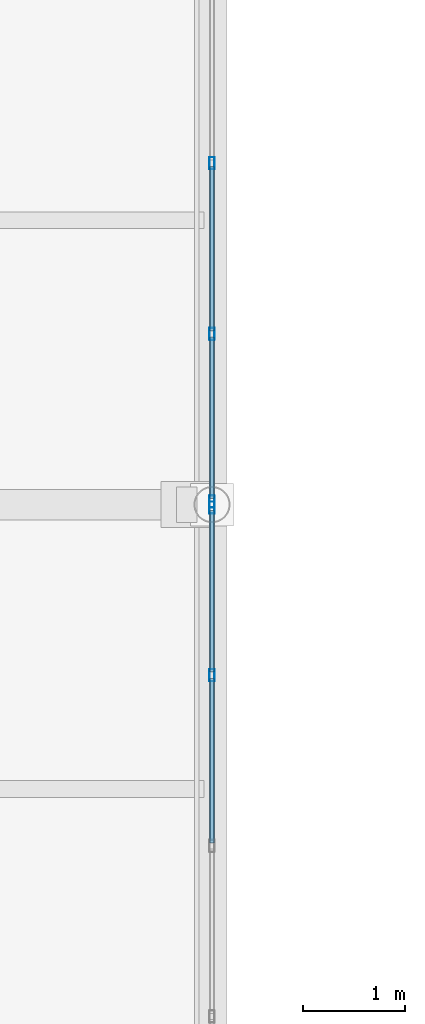
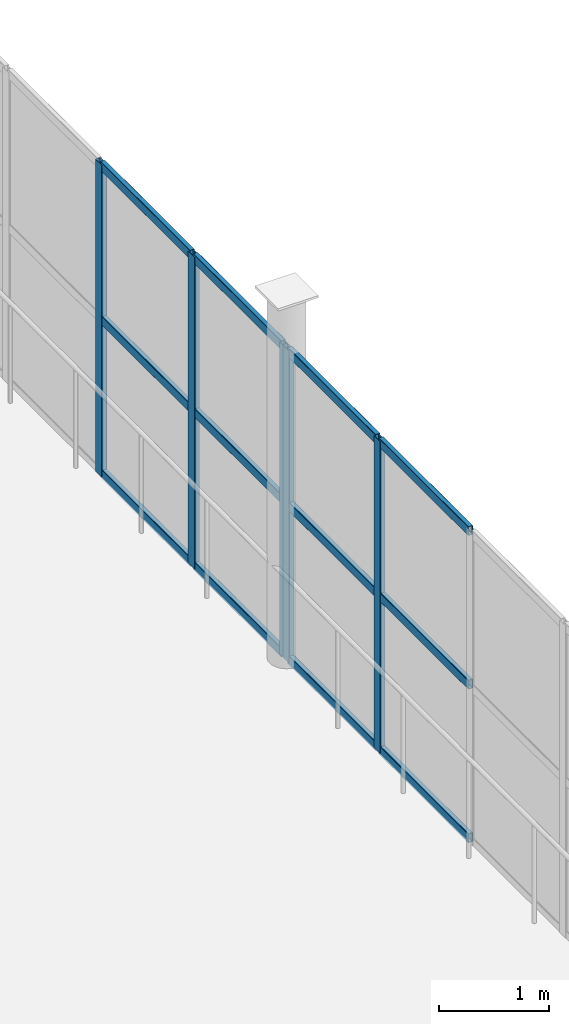
# One storey, part 62 of 184: 17 members, 2 elements without a shape of their own.
"""IFC4 building model written with IfcOpenShell, lengths in metres."""

from ifc_helpers import new_model, si_unit, direction, frame, origin, origin_2d, place, context, subcontext, project, spatial, hollow_rectangle, extrude, material, layer, layer_set, material_profile, profile_set, type_object, element, aggregate, save


model = new_model("IFC4")

# Units and contexts
model_context = context("Model", 3, precision=1e-05, world=origin(), true_north=direction((0.0, 1.0)))
body_context = subcontext(model_context, "Body", "Model", "MODEL_VIEW")
ifc_project = project(units=[si_unit("LENGTHUNIT", "METRE"), si_unit("AREAUNIT", "SQUARE_METRE"), si_unit("VOLUMEUNIT", "CUBIC_METRE"), si_unit("PLANEANGLEUNIT", "RADIAN"), si_unit("MASSUNIT", "GRAM", prefix="KILO")], contexts=[model_context])

# Site, building, storey
site_placement = place(None, origin())
site = spatial("IfcSite", under=ifc_project, at=site_placement, CompositionType="ELEMENT")
building_placement = place(site_placement, origin())
building = spatial("IfcBuilding", under=site, at=building_placement, Name="Qalvenar Corner Mobility Hub", CompositionType="ELEMENT")
storey_placement = place(building_placement, frame((0.0, 0.0, 9.0)))
storey = spatial("IfcBuildingStorey", under=building, at=storey_placement, Name="L02", CompositionType="ELEMENT", Elevation=9.0)

# Curtain wall, members
ifc_material_1 = material(Name="Anodised Aluminium and Low-E Glazing", Category="aluminium")
ifc_layer = layer(ifc_material_1, 0.1201171875)
ifc_layer_set = layer_set([ifc_layer], Name="Anodised Aluminium and Low-E Glazing")
curtain_wall_type = type_object("IfcCurtainWallType", Name="CW-BRG-84X28", PredefinedType="NOTDEFINED", material=ifc_layer_set)
curtain_wall_1_placement = place(storey_placement, origin())
curtain_wall_1 = element("IfcCurtainWall", 1, at=curtain_wall_1_placement, inside=storey, type_object=curtain_wall_type, Name="Glazed Curtain Wall CW-BRG-L02-E1", PredefinedType="NOTDEFINED")
ifc_material_2 = material(Name="Anodised Aluminium 6063-T6", Category="aluminium")
ifc_material_profile_1 = material_profile(ifc_material_2, hollow_rectangle(XDim=0.054931640625, YDim=0.1201171875, WallThickness=0.00341796875, InnerFilletRadius=0.00341796875, OuterFilletRadius=0.007080078125, at=origin_2d()), Name="RHS120x55x3.5")
ifc_profile_set_1 = profile_set([ifc_material_profile_1], Name="Anodised Aluminium 6063-T6")
member_type_1 = type_object("IfcMemberType", Name="CW-MUL120", PredefinedType="MULLION", material=ifc_profile_set_1)
member_1_placement = place(storey_placement, frame((58.800048828125, 48.719970703125, 0.0), z_axis=(0.0, 0.0, 1.0), x_axis=(-1.0, 0.0, 0.0)))
member_1 = element("IfcMember", 2, at=member_1_placement, type_object=member_type_1, Name="CW-11 mullion 5", PredefinedType="MULLION", context=body_context, shape_type="SweptSolid", body=[
    extrude(hollow_rectangle(XDim=0.054931640625, YDim=0.1201171875, WallThickness=0.00341796875, InnerFilletRadius=0.00341796875, OuterFilletRadius=0.007080078125, at=origin_2d()), origin(), (0.0, 0.0, 1.0), 3.449951171875),
])
member_2_placement = place(storey_placement, frame((58.800048828125, 50.3701171875, 0.0), z_axis=(0.0, 0.0, 1.0), x_axis=(-1.0, 0.0, 0.0)))
member_2 = element("IfcMember", 3, at=member_2_placement, type_object=member_type_1, Name="CW-11 mullion 6", PredefinedType="MULLION", context=body_context, shape_type="SweptSolid", body=[
    extrude(hollow_rectangle(XDim=0.054931640625, YDim=0.1201171875, WallThickness=0.00341796875, InnerFilletRadius=0.00341796875, OuterFilletRadius=0.007080078125, at=origin_2d()), origin(), (0.0, 0.0, 1.0), 3.449951171875),
])

curtain_wall_2_placement = place(storey_placement, origin())
curtain_wall_2 = element("IfcCurtainWall", 4, at=curtain_wall_2_placement, inside=storey, type_object=curtain_wall_type, Name="Glazed Curtain Wall CW-BRG-L02-E2", PredefinedType="NOTDEFINED")
member_3_placement = place(storey_placement, frame((58.800048828125, 50.429931640625, 0.0), z_axis=(0.0, 0.0, 1.0), x_axis=(-1.0, 0.0, 0.0)))
member_3 = element("IfcMember", 5, at=member_3_placement, type_object=member_type_1, Name="CW-11 mullion 1", PredefinedType="MULLION", context=body_context, shape_type="SweptSolid", body=[
    extrude(hollow_rectangle(XDim=0.054931640625, YDim=0.1201171875, WallThickness=0.00341796875, InnerFilletRadius=0.00341796875, OuterFilletRadius=0.007080078125, at=origin_2d()), origin(), (0.0, 0.0, 1.0), 3.449951171875),
])
member_4_placement = place(storey_placement, frame((58.800048828125, 52.080078125, 0.0), z_axis=(0.0, 0.0, 1.0), x_axis=(-1.0, 0.0, 0.0)))
member_4 = element("IfcMember", 6, at=member_4_placement, type_object=member_type_1, Name="CW-11 mullion 2", PredefinedType="MULLION", context=body_context, shape_type="SweptSolid", body=[
    extrude(hollow_rectangle(XDim=0.054931640625, YDim=0.1201171875, WallThickness=0.00341796875, InnerFilletRadius=0.00341796875, OuterFilletRadius=0.007080078125, at=origin_2d()), origin(), (0.0, 0.0, 1.0), 3.449951171875),
])
member_5_placement = place(storey_placement, frame((58.800048828125, 53.760009765625, 0.0), z_axis=(0.0, 0.0, 1.0), x_axis=(-1.0, 0.0, 0.0)))
member_5 = element("IfcMember", 7, at=member_5_placement, type_object=member_type_1, Name="CW-11 mullion 3", PredefinedType="MULLION", context=body_context, shape_type="SweptSolid", body=[
    extrude(hollow_rectangle(XDim=0.054931640625, YDim=0.1201171875, WallThickness=0.00341796875, InnerFilletRadius=0.00341796875, OuterFilletRadius=0.007080078125, at=origin_2d()), origin(), (0.0, 0.0, 1.0), 3.449951171875),
])

# Member
ifc_material_profile_2 = material_profile(ifc_material_2, hollow_rectangle(XDim=0.050048828125, YDim=0.10009765625, WallThickness=0.0029296875, InnerFilletRadius=0.0029296875, OuterFilletRadius=0.006103515625, at=origin_2d()), Name="RHS100x50x3")
ifc_profile_set_2 = profile_set([ifc_material_profile_2], Name="Anodised Aluminium 6063-T6")
member_type_2 = type_object("IfcMemberType", Name="CW-TRN100", PredefinedType="USERDEFINED", material=ifc_profile_set_2)
member_6_placement = place(storey_placement, frame((58.800048828125, 47.070068359375, 0.027587890625), z_axis=(0.0, 1.0, 0.0), x_axis=(-1.0, 0.0, 0.0)))
member_6 = element("IfcMember", 8, at=member_6_placement, type_object=member_type_2, Name="CW-11 transom 4.1", ObjectType="TRANSOM", PredefinedType="USERDEFINED", context=body_context, shape_type="SweptSolid", body=[
    extrude(hollow_rectangle(XDim=0.050048828125, YDim=0.10009765625, WallThickness=0.0029296875, InnerFilletRadius=0.0029296875, OuterFilletRadius=0.006103515625, at=origin_2d()), origin(), (0.0, 0.0, 1.0), 1.619873046875),
])

member_7_placement = place(storey_placement, frame((58.800048828125, 47.070068359375, 1.72509765625), z_axis=(0.0, 1.0, 0.0), x_axis=(-1.0, 0.0, 0.0)))
member_7 = element("IfcMember", 9, at=member_7_placement, type_object=member_type_2, Name="CW-11 transom 4.2", ObjectType="TRANSOM", PredefinedType="USERDEFINED", context=body_context, shape_type="SweptSolid", body=[
    extrude(hollow_rectangle(XDim=0.050048828125, YDim=0.10009765625, WallThickness=0.0029296875, InnerFilletRadius=0.0029296875, OuterFilletRadius=0.006103515625, at=origin_2d()), origin(), (0.0, 0.0, 1.0), 1.619873046875),
])

member_8_placement = place(storey_placement, frame((58.800048828125, 47.070068359375, 3.422607421875), z_axis=(0.0, 1.0, 0.0), x_axis=(-1.0, 0.0, 0.0)))
member_8 = element("IfcMember", 10, at=member_8_placement, type_object=member_type_2, Name="CW-11 transom 4.3", ObjectType="TRANSOM", PredefinedType="USERDEFINED", context=body_context, shape_type="SweptSolid", body=[
    extrude(hollow_rectangle(XDim=0.050048828125, YDim=0.10009765625, WallThickness=0.0029296875, InnerFilletRadius=0.0029296875, OuterFilletRadius=0.006103515625, at=origin_2d()), origin(), (0.0, 0.0, 1.0), 1.619873046875),
])

member_9_placement = place(storey_placement, frame((58.800048828125, 48.75, 0.027587890625), z_axis=(0.0, 1.0, 0.0), x_axis=(-1.0, 0.0, 0.0)))
member_9 = element("IfcMember", 11, at=member_9_placement, type_object=member_type_2, Name="CW-11 transom 5.1", ObjectType="TRANSOM", PredefinedType="USERDEFINED", context=body_context, shape_type="SweptSolid", body=[
    extrude(hollow_rectangle(XDim=0.050048828125, YDim=0.10009765625, WallThickness=0.0029296875, InnerFilletRadius=0.0029296875, OuterFilletRadius=0.006103515625, at=origin_2d()), origin(), (0.0, 0.0, 1.0), 1.590087890625),
])

member_10_placement = place(storey_placement, frame((58.800048828125, 48.75, 1.72509765625), z_axis=(0.0, 1.0, 0.0), x_axis=(-1.0, 0.0, 0.0)))
member_10 = element("IfcMember", 12, at=member_10_placement, type_object=member_type_2, Name="CW-11 transom 5.2", ObjectType="TRANSOM", PredefinedType="USERDEFINED", context=body_context, shape_type="SweptSolid", body=[
    extrude(hollow_rectangle(XDim=0.050048828125, YDim=0.10009765625, WallThickness=0.0029296875, InnerFilletRadius=0.0029296875, OuterFilletRadius=0.006103515625, at=origin_2d()), origin(), (0.0, 0.0, 1.0), 1.590087890625),
])

member_11_placement = place(storey_placement, frame((58.800048828125, 48.75, 3.422607421875), z_axis=(0.0, 1.0, 0.0), x_axis=(-1.0, 0.0, 0.0)))
member_11 = element("IfcMember", 13, at=member_11_placement, type_object=member_type_2, Name="CW-11 transom 5.3", ObjectType="TRANSOM", PredefinedType="USERDEFINED", context=body_context, shape_type="SweptSolid", body=[
    extrude(hollow_rectangle(XDim=0.050048828125, YDim=0.10009765625, WallThickness=0.0029296875, InnerFilletRadius=0.0029296875, OuterFilletRadius=0.006103515625, at=origin_2d()), origin(), (0.0, 0.0, 1.0), 1.590087890625),
])

aggregate(curtain_wall_1, [member_1, member_2, member_6, member_7, member_8, member_9, member_10, member_11])

member_12_placement = place(storey_placement, frame((58.800048828125, 50.4599609375, 0.027587890625), z_axis=(0.0, 1.0, 0.0), x_axis=(-1.0, 0.0, 0.0)))
member_12 = element("IfcMember", 14, at=member_12_placement, type_object=member_type_2, Name="CW-11 transom 1.1", ObjectType="TRANSOM", PredefinedType="USERDEFINED", context=body_context, shape_type="SweptSolid", body=[
    extrude(hollow_rectangle(XDim=0.050048828125, YDim=0.10009765625, WallThickness=0.0029296875, InnerFilletRadius=0.0029296875, OuterFilletRadius=0.006103515625, at=origin_2d()), origin(), (0.0, 0.0, 1.0), 1.590087890625),
])

member_13_placement = place(storey_placement, frame((58.800048828125, 50.4599609375, 1.72509765625), z_axis=(0.0, 1.0, 0.0), x_axis=(-1.0, 0.0, 0.0)))
member_13 = element("IfcMember", 15, at=member_13_placement, type_object=member_type_2, Name="CW-11 transom 1.2", ObjectType="TRANSOM", PredefinedType="USERDEFINED", context=body_context, shape_type="SweptSolid", body=[
    extrude(hollow_rectangle(XDim=0.050048828125, YDim=0.10009765625, WallThickness=0.0029296875, InnerFilletRadius=0.0029296875, OuterFilletRadius=0.006103515625, at=origin_2d()), origin(), (0.0, 0.0, 1.0), 1.590087890625),
])

member_14_placement = place(storey_placement, frame((58.800048828125, 50.4599609375, 3.422607421875), z_axis=(0.0, 1.0, 0.0), x_axis=(-1.0, 0.0, 0.0)))
member_14 = element("IfcMember", 16, at=member_14_placement, type_object=member_type_2, Name="CW-11 transom 1.3", ObjectType="TRANSOM", PredefinedType="USERDEFINED", context=body_context, shape_type="SweptSolid", body=[
    extrude(hollow_rectangle(XDim=0.050048828125, YDim=0.10009765625, WallThickness=0.0029296875, InnerFilletRadius=0.0029296875, OuterFilletRadius=0.006103515625, at=origin_2d()), origin(), (0.0, 0.0, 1.0), 1.590087890625),
])

member_15_placement = place(storey_placement, frame((58.800048828125, 52.110107421875, 0.027587890625), z_axis=(0.0, 1.0, 0.0), x_axis=(-1.0, 0.0, 0.0)))
member_15 = element("IfcMember", 17, at=member_15_placement, type_object=member_type_2, Name="CW-11 transom 2.1", ObjectType="TRANSOM", PredefinedType="USERDEFINED", context=body_context, shape_type="SweptSolid", body=[
    extrude(hollow_rectangle(XDim=0.050048828125, YDim=0.10009765625, WallThickness=0.0029296875, InnerFilletRadius=0.0029296875, OuterFilletRadius=0.006103515625, at=origin_2d()), origin(), (0.0, 0.0, 1.0), 1.619873046875),
])

member_16_placement = place(storey_placement, frame((58.800048828125, 52.110107421875, 1.72509765625), z_axis=(0.0, 1.0, 0.0), x_axis=(-1.0, 0.0, 0.0)))
member_16 = element("IfcMember", 18, at=member_16_placement, type_object=member_type_2, Name="CW-11 transom 2.2", ObjectType="TRANSOM", PredefinedType="USERDEFINED", context=body_context, shape_type="SweptSolid", body=[
    extrude(hollow_rectangle(XDim=0.050048828125, YDim=0.10009765625, WallThickness=0.0029296875, InnerFilletRadius=0.0029296875, OuterFilletRadius=0.006103515625, at=origin_2d()), origin(), (0.0, 0.0, 1.0), 1.619873046875),
])

member_17_placement = place(storey_placement, frame((58.800048828125, 52.110107421875, 3.422607421875), z_axis=(0.0, 1.0, 0.0), x_axis=(-1.0, 0.0, 0.0)))
member_17 = element("IfcMember", 19, at=member_17_placement, type_object=member_type_2, Name="CW-11 transom 2.3", ObjectType="TRANSOM", PredefinedType="USERDEFINED", context=body_context, shape_type="SweptSolid", body=[
    extrude(hollow_rectangle(XDim=0.050048828125, YDim=0.10009765625, WallThickness=0.0029296875, InnerFilletRadius=0.0029296875, OuterFilletRadius=0.006103515625, at=origin_2d()), origin(), (0.0, 0.0, 1.0), 1.619873046875),
])

aggregate(curtain_wall_2, [member_3, member_4, member_5, member_12, member_13, member_14, member_15, member_16, member_17])

save(model, "model.ifc")
